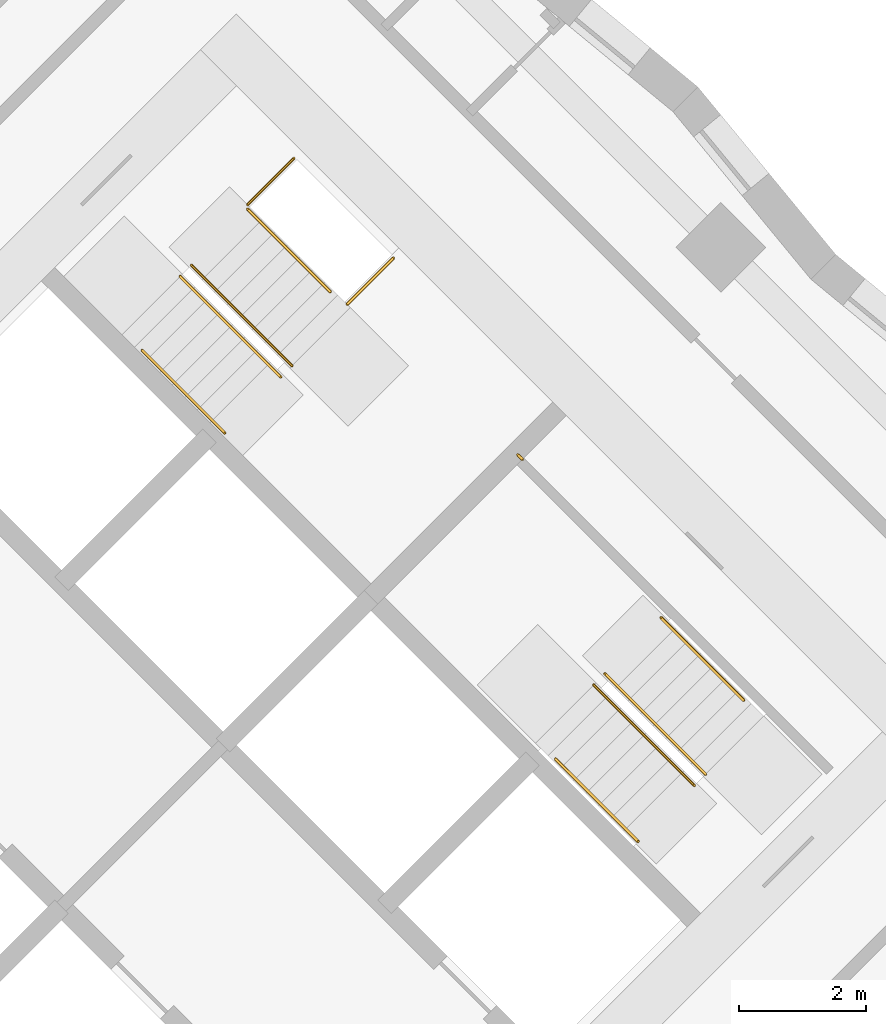
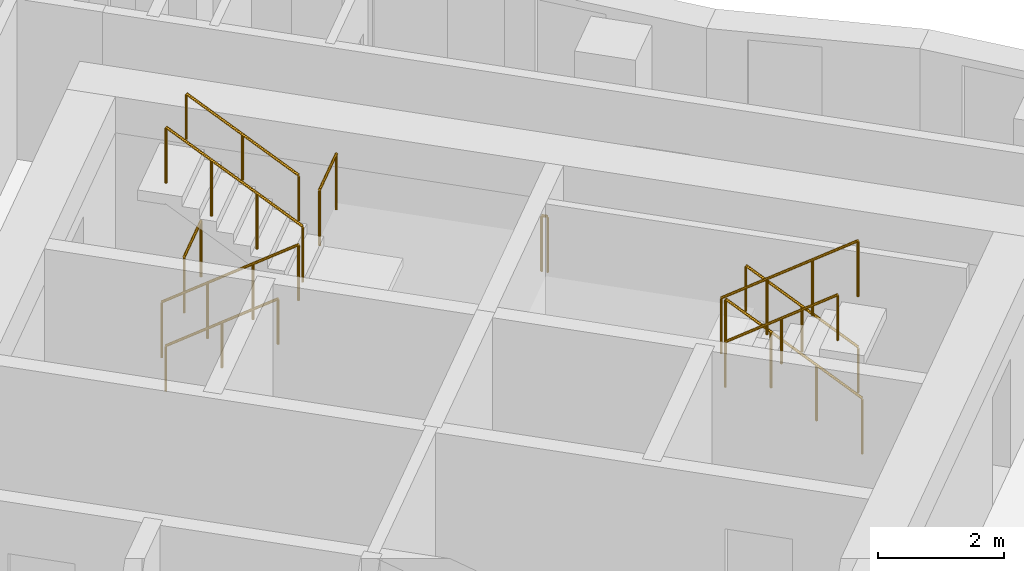
# One storey, part 12 of 12: 11 railings.
"""IFC4 building model written with IfcOpenShell, lengths in metres."""

from ifc_helpers import new_model, si_unit, direction, frame, origin, origin_2d, place, context, subcontext, project, spatial, circle, extrude, material, type_object, element, save


model = new_model("IFC4")

# Units and contexts
model_context = context("Model", 3, precision=1e-05, world=origin(), true_north=direction((0.0, 1.0)))
body_context = subcontext(model_context, "Body", "Model", "MODEL_VIEW")
ifc_project = project(units=[si_unit("LENGTHUNIT", "METRE"), si_unit("AREAUNIT", "SQUARE_METRE"), si_unit("VOLUMEUNIT", "CUBIC_METRE"), si_unit("PLANEANGLEUNIT", "RADIAN"), si_unit("MASSUNIT", "GRAM", prefix="KILO")], contexts=[model_context])

# Site, building, storey
site_placement = place(None, origin())
site = spatial("IfcSite", under=ifc_project, at=site_placement, CompositionType="ELEMENT")
building_placement = place(site_placement, origin())
building = spatial("IfcBuilding", under=site, at=building_placement, Name="Windrow Commons", CompositionType="ELEMENT")
storey_placement = place(building_placement, frame((0.0, 0.0, 84.6)))
storey = spatial("IfcBuildingStorey", under=building, at=storey_placement, Name="L22", CompositionType="ELEMENT", Elevation=84.6)

# Railings
ifc_material_1 = material(Name="Steel S355", Category="steel")
railing_type_1 = type_object("IfcRailingType", Name="Core stair guard 1100", PredefinedType="GUARDRAIL", material=ifc_material_1)
railing_1_placement = place(storey_placement, frame((85.9529, 56.2669, 0.1889)))
element("IfcRailing", 1, at=railing_1_placement, inside=storey, type_object=railing_type_1, Name="L22 ST-B1 stair guard 1", PredefinedType="GUARDRAIL", context=body_context, shape_type="SweptSolid", body=[
    extrude(circle(Radius=0.024, at=origin_2d()), frame((0.0, 0.0, 1.076), z_axis=(0.5861914914, -0.5861914914, 0.5592486664), x_axis=(0.7071067812, 0.7071067812, 0.0)), (0.0, 0.0, 1.0), 2.702),
    extrude(circle(Radius=0.021, at=origin_2d()), origin(), (0.0, 0.0, 1.0), 1.052),
    extrude(circle(Radius=0.021, at=origin_2d()), frame((0.528, -0.528, 0.5037)), (0.0, 0.0, 1.0), 1.052),
    extrude(circle(Radius=0.021, at=origin_2d()), frame((1.0559, -1.0559, 1.0074)), (0.0, 0.0, 1.0), 1.052),
    extrude(circle(Radius=0.021, at=origin_2d()), frame((1.5839, -1.5839, 1.5111)), (0.0, 0.0, 1.0), 1.052),
])
railing_2_placement = place(storey_placement, frame((87.7136, 54.8597, 1.8889)))
element("IfcRailing", 2, at=railing_2_placement, inside=storey, type_object=railing_type_1, Name="L22 ST-B1 stair guard 2", PredefinedType="GUARDRAIL", context=body_context, shape_type="SweptSolid", body=[
    extrude(circle(Radius=0.024, at=origin_2d()), frame((0.0, 0.0, 1.076), z_axis=(-0.5862030657, 0.5862030657, 0.5592244018), x_axis=(-0.7071067812, -0.7071067812, 0.0)), (0.0, 0.0, 1.0), 2.7021),
    extrude(circle(Radius=0.021, at=origin_2d()), origin(), (0.0, 0.0, 1.0), 1.052),
    extrude(circle(Radius=0.021, at=origin_2d()), frame((-0.528, 0.528, 0.5037)), (0.0, 0.0, 1.0), 1.052),
    extrude(circle(Radius=0.021, at=origin_2d()), frame((-1.056, 1.056, 1.0074)), (0.0, 0.0, 1.0), 1.052),
    extrude(circle(Radius=0.021, at=origin_2d()), frame((-1.584, 1.584, 1.5111)), (0.0, 0.0, 1.0), 1.052),
])
railing_3_placement = place(storey_placement, frame((87.0135, 57.3982, 0.0)))
element("IfcRailing", 3, at=railing_3_placement, inside=storey, type_object=railing_type_1, Name="L22 ST-B1 stair guard 3", PredefinedType="GUARDRAIL", context=body_context, shape_type="SweptSolid", body=[
    extrude(circle(Radius=0.024, at=origin_2d()), frame((0.0, 0.0, 1.076), z_axis=(0.7070582378, 0.7071553212, 0.0), x_axis=(-0.7071553212, 0.7070582378, 0.0)), (0.0, 0.0, 1.0), 1.03),
    extrude(circle(Radius=0.021, at=origin_2d()), origin(), (0.0, 0.0, 1.0), 1.052),
    extrude(circle(Radius=0.021, at=origin_2d()), frame((0.7283, 0.7284, 0.0)), (0.0, 0.0, 1.0), 1.052),
])
railing_4_placement = place(storey_placement, frame((88.5833, 55.8285, 1.7)))
element("IfcRailing", 4, at=railing_4_placement, inside=storey, type_object=railing_type_1, Name="L22 ST-B1 stair guard 4", PredefinedType="GUARDRAIL", context=body_context, shape_type="SweptSolid", body=[
    extrude(circle(Radius=0.024, at=origin_2d()), frame((0.0, 0.0, 1.076), z_axis=(0.7071067812, 0.7071067812, 0.0), x_axis=(-0.7071067812, 0.7071067812, 0.0)), (0.0, 0.0, 1.0), 1.03),
    extrude(circle(Radius=0.021, at=origin_2d()), origin(), (0.0, 0.0, 1.0), 1.052),
    extrude(circle(Radius=0.021, at=origin_2d()), frame((0.7283, 0.7283, 0.0)), (0.0, 0.0, 1.0), 1.052),
])
railing_5_placement = place(storey_placement, frame((94.2296, 48.4215, 0.1889)))
element("IfcRailing", 5, at=railing_5_placement, inside=storey, type_object=railing_type_1, Name="L22 ST-B2 stair guard 1", PredefinedType="GUARDRAIL", context=body_context, shape_type="SweptSolid", body=[
    extrude(circle(Radius=0.024, at=origin_2d()), frame((0.0, 0.0, 1.076), z_axis=(-0.5862157828, 0.5861787742, 0.5592365337), x_axis=(-0.7070844598, -0.7071291018, 0.0)), (0.0, 0.0, 1.0), 2.7021),
    extrude(circle(Radius=0.021, at=origin_2d()), origin(), (0.0, 0.0, 1.0), 1.052),
    extrude(circle(Radius=0.021, at=origin_2d()), frame((-0.528, 0.528, 0.5037)), (0.0, 0.0, 1.0), 1.052),
    extrude(circle(Radius=0.021, at=origin_2d()), frame((-1.056, 1.0559, 1.0074)), (0.0, 0.0, 1.0), 1.052),
    extrude(circle(Radius=0.021, at=origin_2d()), frame((-1.584, 1.5839, 1.5111)), (0.0, 0.0, 1.0), 1.052),
])
railing_6_placement = place(storey_placement, frame((92.4689, 49.8287, 1.8889)))
element("IfcRailing", 6, at=railing_6_placement, inside=storey, type_object=railing_type_1, Name="L22 ST-B2 stair guard 2", PredefinedType="GUARDRAIL", context=body_context, shape_type="SweptSolid", body=[
    extrude(circle(Radius=0.024, at=origin_2d()), frame((0.0, 0.0, 1.076), z_axis=(0.5861787742, -0.5862157828, 0.5592365337), x_axis=(0.7071291018, 0.7070844598, 0.0)), (0.0, 0.0, 1.0), 2.7021),
    extrude(circle(Radius=0.021, at=origin_2d()), origin(), (0.0, 0.0, 1.0), 1.052),
    extrude(circle(Radius=0.021, at=origin_2d()), frame((0.528, -0.528, 0.5037)), (0.0, 0.0, 1.0), 1.052),
    extrude(circle(Radius=0.021, at=origin_2d()), frame((1.0559, -1.056, 1.0074)), (0.0, 0.0, 1.0), 1.052),
    extrude(circle(Radius=0.021, at=origin_2d()), frame((1.5839, -1.584, 1.5111)), (0.0, 0.0, 1.0), 1.052),
])
railing_7_placement = place(storey_placement, frame((91.3446, 53.3854, 1.7)))
element("IfcRailing", 7, at=railing_7_placement, inside=storey, type_object=railing_type_1, Name="L22 ST-B2 stair guard 3", PredefinedType="GUARDRAIL", context=body_context, shape_type="SweptSolid", body=[
    extrude(circle(Radius=0.024, at=origin_2d()), frame((0.0, 0.0, 1.076), z_axis=(-0.7076063266, 0.7066068826, 0.0), x_axis=(-0.7066068826, -0.7076063266, 0.0)), (0.0, 0.0, 1.0), 0.1001),
    extrude(circle(Radius=0.021, at=origin_2d()), origin(), (0.0, 0.0, 1.0), 1.052),
    extrude(circle(Radius=0.021, at=origin_2d()), frame((-0.0708, 0.0707, 0.0)), (0.0, 0.0, 1.0), 1.052),
])
ifc_material_2 = material(Name="Steel S355", Category="steel")
railing_type_2 = type_object("IfcRailingType", Name="Core stair handrail 900", PredefinedType="HANDRAIL", material=ifc_material_2)
railing_8_placement = place(storey_placement, frame((85.3518, 55.1001, 0.4587)))
element("IfcRailing", 8, at=railing_8_placement, inside=storey, type_object=railing_type_2, Name="L22 ST-B1 stair handrail 1", PredefinedType="HANDRAIL", context=body_context, shape_type="SweptSolid", body=[
    extrude(circle(Radius=0.024, at=origin_2d()), frame((0.0, 0.0, 0.876), z_axis=(0.586206706, -0.5861616513, 0.5592639952), x_axis=(0.7070796062, 0.7071339551, 0.0)), (0.0, 0.0, 1.0), 2.2195),
    extrude(circle(Radius=0.021, at=origin_2d()), origin(), (0.0, 0.0, 1.0), 0.852),
    extrude(circle(Radius=0.021, at=origin_2d()), frame((0.6506, -0.6505, 0.6206)), (0.0, 0.0, 1.0), 0.852),
    extrude(circle(Radius=0.021, at=origin_2d()), frame((1.3011, -1.301, 1.2413)), (0.0, 0.0, 1.0), 0.852),
])
for number, where, name in (
    (9, (88.3146, 56.0265, 2.1587), "L22 ST-B1 stair handrail 2"),
    (10, (94.8306, 49.5883, 0.4587), "L22 ST-B2 stair handrail 1"),
):
    element("IfcRailing", number, at=place(storey_placement, frame(where)), inside=storey, type_object=railing_type_2, Name=name, PredefinedType="HANDRAIL", context=body_context, shape_type="SweptSolid", body=[
        extrude(circle(Radius=0.024, at=origin_2d()), frame((0.0, 0.0, 0.876), z_axis=(-0.586206706, 0.5861616513, 0.5592639952), x_axis=(-0.7070796062, -0.7071339551, 0.0)), (0.0, 0.0, 1.0), 2.2195),
        extrude(circle(Radius=0.021, at=origin_2d()), origin(), (0.0, 0.0, 1.0), 0.852),
        extrude(circle(Radius=0.021, at=origin_2d()), frame((-0.6506, 0.6505, 0.6206)), (0.0, 0.0, 1.0), 0.852),
        extrude(circle(Radius=0.021, at=origin_2d()), frame((-1.3011, 1.301, 1.2413)), (0.0, 0.0, 1.0), 0.852),
    ])
railing_9_placement = place(storey_placement, frame((91.8678, 48.6619, 2.1587)))
element("IfcRailing", 11, at=railing_9_placement, inside=storey, type_object=railing_type_2, Name="L22 ST-B2 stair handrail 2", PredefinedType="HANDRAIL", context=body_context, shape_type="SweptSolid", body=[
    extrude(circle(Radius=0.024, at=origin_2d()), frame((0.0, 0.0, 0.876), z_axis=(0.586206706, -0.5861616513, 0.5592639952), x_axis=(0.7070796062, 0.7071339551, 0.0)), (0.0, 0.0, 1.0), 2.2195),
    extrude(circle(Radius=0.021, at=origin_2d()), origin(), (0.0, 0.0, 1.0), 0.852),
    extrude(circle(Radius=0.021, at=origin_2d()), frame((0.6505, -0.6505, 0.6206)), (0.0, 0.0, 1.0), 0.852),
    extrude(circle(Radius=0.021, at=origin_2d()), frame((1.3011, -1.301, 1.2413)), (0.0, 0.0, 1.0), 0.852),
])

save(model, "model.ifc")
